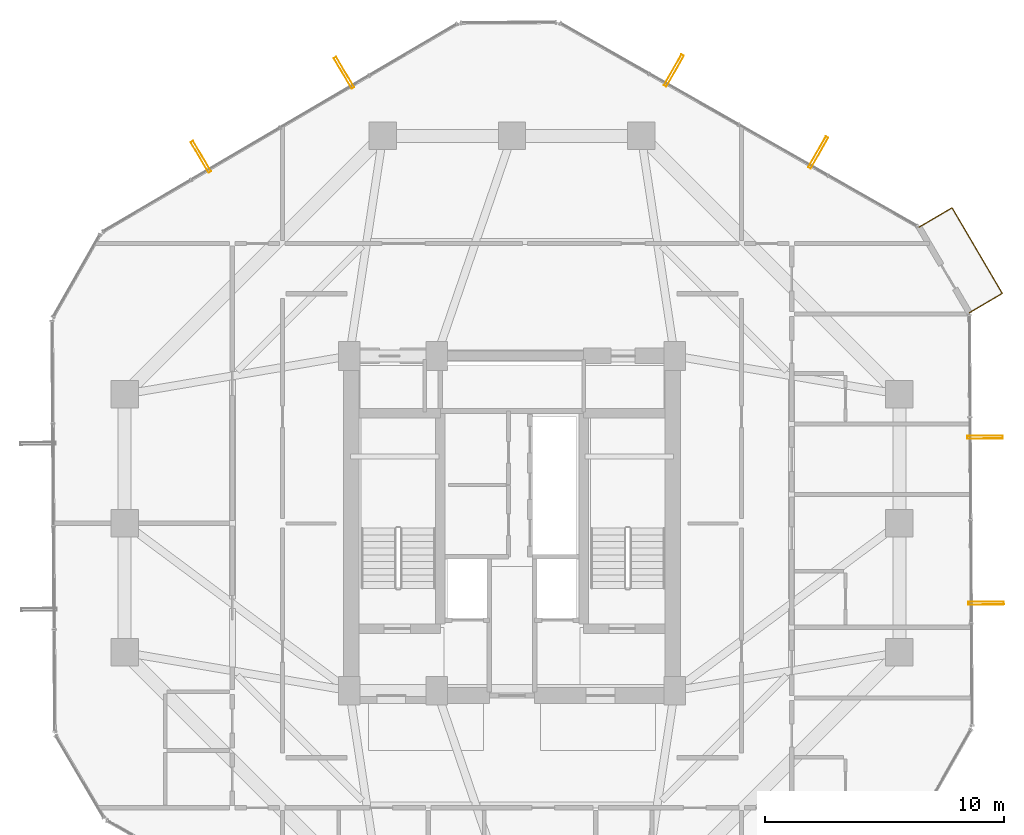
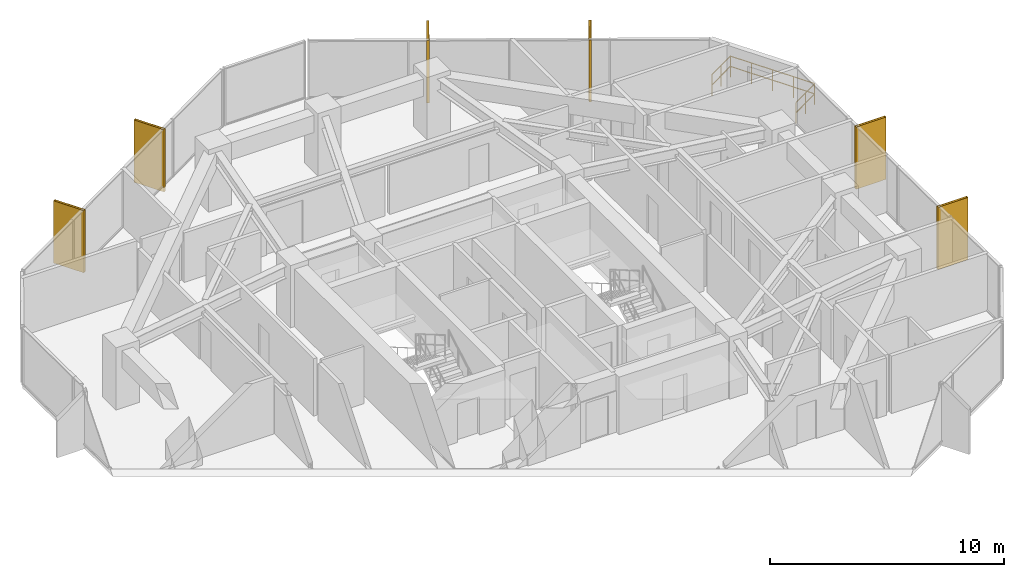
# One storey, part 30 of 30: 6 shading devices, 1 railing.
"""IFC4 building model written with IfcOpenShell, lengths in metres."""

from ifc_helpers import new_model, si_unit, direction, frame, origin, origin_2d, place, context, subcontext, project, spatial, hollow_rectangle, circle, extrude, material, material_profile, profile_set, type_object, element, save


model = new_model("IFC4")

# Units and contexts
model_context = context("Model", 3, precision=1e-05, world=origin(), true_north=direction((0.0, 1.0)))
body_context = subcontext(model_context, "Body", "Model", "MODEL_VIEW")
ifc_project = project(units=[si_unit("LENGTHUNIT", "METRE"), si_unit("AREAUNIT", "SQUARE_METRE"), si_unit("VOLUMEUNIT", "CUBIC_METRE"), si_unit("PLANEANGLEUNIT", "RADIAN"), si_unit("MASSUNIT", "GRAM", prefix="KILO")], contexts=[model_context])

# Site, building, storey
site_placement = place(None, origin())
site = spatial("IfcSite", under=ifc_project, at=site_placement, CompositionType="ELEMENT")
building_placement = place(site_placement, origin())
building = spatial("IfcBuilding", under=site, at=building_placement, Name="Veraguas Prism Commons", CompositionType="ELEMENT")
storey_placement = place(building_placement, frame((0.0, 0.0, 129.5)))
storey = spatial("IfcBuildingStorey", under=building, at=storey_placement, Name="L36", CompositionType="ELEMENT", Elevation=129.5)

# Shading devices
ifc_material_1 = material(Name="Anodised aluminium EN AW-6063 T6", Category="aluminium")
ifc_material_profile = material_profile(ifc_material_1, hollow_rectangle(XDim=0.1201171875, YDim=1.489990234375, WallThickness=0.006103515625, at=origin_2d()), Name="FIN120X1490X6")
ifc_profile_set = profile_set([ifc_material_profile], Name="Anodised aluminium EN AW-6063 T6")
shading_device_type = type_object("IfcShadingDeviceType", Name="Deep Pale-Metal Vertical Solar Fin 120x1490", PredefinedType="USERDEFINED", material=ifc_profile_set)
for number, where, z_axis, x_axis, name in (
    (1, (36.80712890625, 39.503662109375, -0.22998046875), (0.0, 0.0, 1.0), (-0.869322458298, 0.494245347472, 0.0), "Vertical Pale-Metal Solar Fin L36-F1A"),
    (2, (30.7724609375, 42.9345703125, -0.22998046875), (0.0, 0.0, 1.0), (-0.869322458298, 0.494245347472, 0.0), "Vertical Pale-Metal Solar Fin L36-F1B"),
    (3, (16.97705078125, 42.843017578125, -0.22998046875), (0.0, 0.0, 1.0), (-0.862688490417, -0.505735670585, 0.0), "Vertical Pale-Metal Solar Fin L36-F2A"),
    (4, (10.98828125, 39.33251953125, -0.22998046875), (0.0, 0.0, 1.0), (-0.862688490417, -0.505735670585, 0.0), "Vertical Pale-Metal Solar Fin L36-F2B"),
    (5, (43.830078125, 20.660400390625, -0.22998046875), (0.0, 0.0, 1.0), (-0.006632202536, 0.999978006703, 0.0), "Vertical Pale-Metal Solar Fin L36-F6A"),
    (6, (43.783935546875, 27.60205078125, -0.22998046875), (0.0, 0.0, 1.0), (-0.006632202536, 0.999978006703, 0.0), "Vertical Pale-Metal Solar Fin L36-F6B"),
):
    element("IfcShadingDevice", number, at=place(storey_placement, frame(where, z_axis=z_axis, x_axis=x_axis)), inside=storey, type_object=shading_device_type, Name=name, ObjectType="FIN", PredefinedType="USERDEFINED", context=body_context, shape_type="SweptSolid", body=[
        extrude(hollow_rectangle(XDim=0.1201171875, YDim=1.489990234375, WallThickness=0.006103515625, at=origin_2d()), origin(), (0.0, 0.0, 1.0), 3.25),
    ])

# Railing
ifc_material_2 = material(Name="Stainless steel AISI 316", Category="steel")
railing_type = type_object("IfcRailingType", Name="Loggia and Sky Pool Glazed Balustrade 1120", PredefinedType="BALUSTRADE", material=ifc_material_2)
railing_placement = place(storey_placement, frame((43.12451171875, 32.80419921875, 0.0)))
element("IfcRailing", 7, at=railing_placement, inside=storey, type_object=railing_type, Name="Recessed Corner Loggia L36-C1 Guard", PredefinedType="BALUSTRADE", context=body_context, shape_type="SweptSolid", body=[
    extrude(circle(Radius=0.02392578125, at=origin_2d()), frame((0.0, 0.0, 1.09619140625), z_axis=(0.862725515453, 0.505672507643, 0.0), x_axis=(-0.505672507643, 0.862725515453, 0.0)), (0.0, 0.0, 1.0), 1.60009765625),
    extrude(circle(Radius=0.02392578125, at=origin_2d()), frame((0.0, 0.0, 0.56005859375), z_axis=(0.862725515453, 0.505672507643, 0.0), x_axis=(-0.505672507643, 0.862725515453, 0.0)), (0.0, 0.0, 1.0), 1.60009765625),
    extrude(circle(Radius=0.02392578125, at=origin_2d()), frame((1.38037109375, 0.80908203125, 1.09619140625), z_axis=(-0.505755704487, 0.862676745589, 0.0), x_axis=(-0.862676745589, -0.505755704487, 0.0)), (0.0, 0.0, 1.0), 4.1533203125),
    extrude(circle(Radius=0.02392578125, at=origin_2d()), frame((1.38037109375, 0.80908203125, 0.56005859375), z_axis=(-0.505755704487, 0.862676745589, 0.0), x_axis=(-0.862676745589, -0.505755704487, 0.0)), (0.0, 0.0, 1.0), 4.1533203125),
    extrude(circle(Radius=0.02392578125, at=origin_2d()), frame((-0.72021484375, 4.39208984375, 1.09619140625), z_axis=(-0.8626864906, -0.505739081876, 0.0), x_axis=(0.505739081876, -0.8626864906, 0.0)), (0.0, 0.0, 1.0), 1.599853515625),
    extrude(circle(Radius=0.02392578125, at=origin_2d()), frame((-0.72021484375, 4.39208984375, 0.56005859375), z_axis=(-0.8626864906, -0.505739081876, 0.0), x_axis=(0.505739081876, -0.8626864906, 0.0)), (0.0, 0.0, 1.0), 1.599853515625),
    extrude(circle(Radius=0.02099609375, at=origin_2d()), origin(), (0.0, 0.0, 1.0), 1.072021484375),
    extrude(circle(Radius=0.02099609375, at=origin_2d()), frame((0.690185546875, 0.404541015625, 0.0)), (0.0, 0.0, 1.0), 1.072021484375),
    extrude(circle(Radius=0.02099609375, at=origin_2d()), frame((1.38037109375, 0.80908203125, 0.0)), (0.0, 0.0, 1.0), 1.072021484375),
    extrude(circle(Radius=0.02099609375, at=origin_2d()), frame((0.855224609375, 1.704833984375, 0.0)), (0.0, 0.0, 1.0), 1.072021484375),
    extrude(circle(Radius=0.02099609375, at=origin_2d()), frame((0.330078125, 2.6005859375, 0.0)), (0.0, 0.0, 1.0), 1.072021484375),
    extrude(circle(Radius=0.02099609375, at=origin_2d()), frame((-0.195068359375, 3.496337890625, 0.0)), (0.0, 0.0, 1.0), 1.072021484375),
    extrude(circle(Radius=0.02099609375, at=origin_2d()), frame((-0.72021484375, 4.39208984375, 0.0)), (0.0, 0.0, 1.0), 1.072021484375),
    extrude(circle(Radius=0.02099609375, at=origin_2d()), frame((-1.41015625, 3.987548828125, 0.0)), (0.0, 0.0, 1.0), 1.072021484375),
    extrude(circle(Radius=0.02099609375, at=origin_2d()), frame((-2.100341796875, 3.5830078125, 0.0)), (0.0, 0.0, 1.0), 1.072021484375),
])

save(model, "model.ifc")
